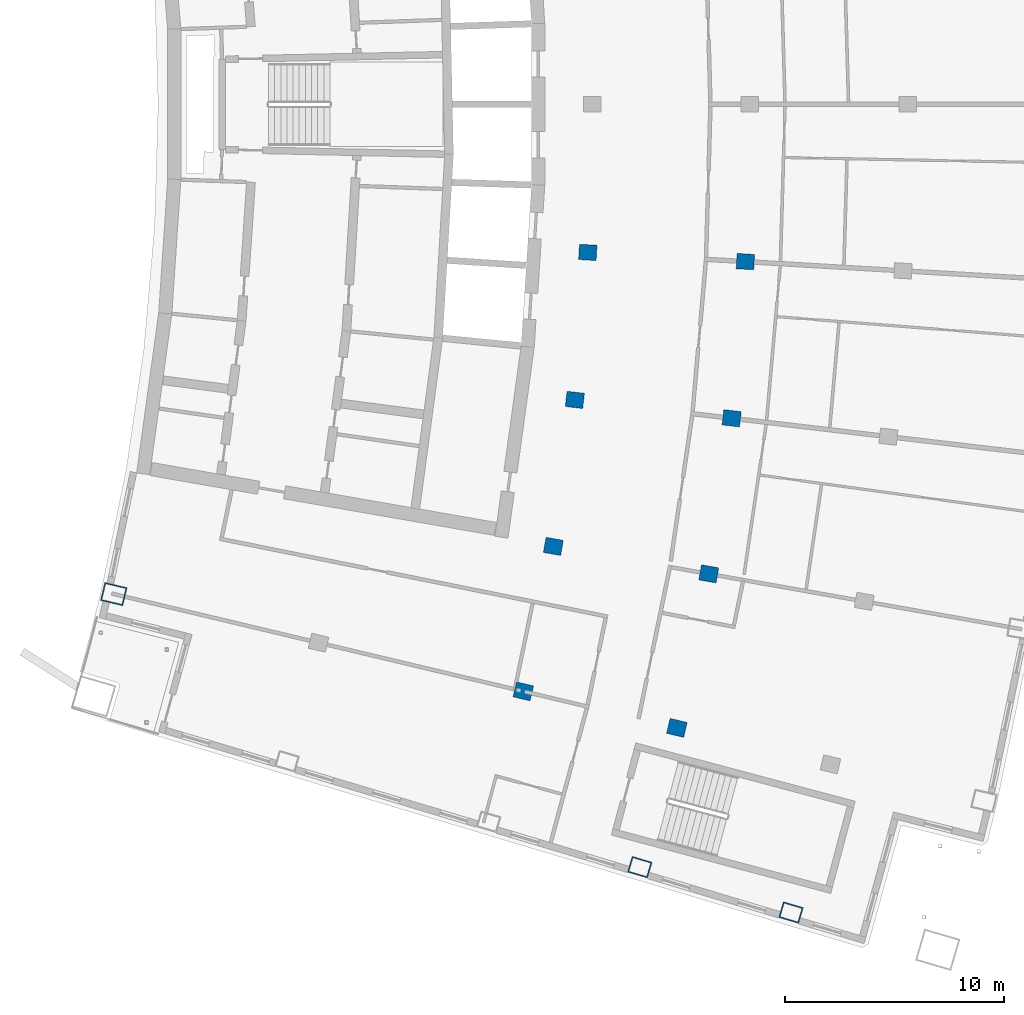
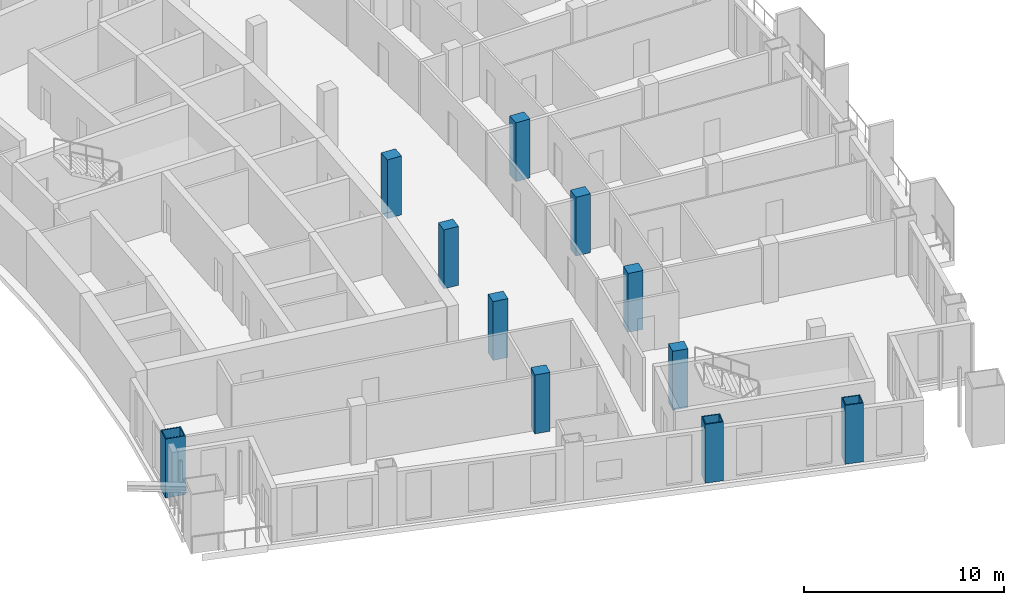
# One storey, part 2 of 18: 11 columns.
"""IFC4 building model written with IfcOpenShell, lengths in metres."""

from ifc_helpers import new_model, si_unit, direction, frame, origin, origin_2d, place, context, subcontext, project, spatial, rectangle, hollow_rectangle, extrude, material, material_profile, profile_set, type_object, element, save


model = new_model("IFC4")

# Units and contexts
model_context = context("Model", 3, precision=1e-05, world=origin(), true_north=direction((0.0, 1.0)))
body_context = subcontext(model_context, "Body", "Model", "MODEL_VIEW")
ifc_project = project(units=[si_unit("LENGTHUNIT", "METRE"), si_unit("AREAUNIT", "SQUARE_METRE"), si_unit("VOLUMEUNIT", "CUBIC_METRE"), si_unit("PLANEANGLEUNIT", "RADIAN"), si_unit("MASSUNIT", "GRAM", prefix="KILO")], contexts=[model_context])

# Site, building, storey
site_placement = place(None, origin())
site = spatial("IfcSite", under=ifc_project, at=site_placement, CompositionType="ELEMENT")
building_placement = place(site_placement, origin())
building = spatial("IfcBuilding", under=site, at=building_placement, Name="Alderwake Tower", CompositionType="ELEMENT")
storey_placement = place(building_placement, frame((0.0, 0.0, 225.199951171875)))
storey = spatial("IfcBuildingStorey", under=building, at=storey_placement, Name="L56", CompositionType="ELEMENT", Elevation=225.199951171875)

# Columns
ifc_material_1 = material(Name="Steel ASTM A572 Grade 50 concrete filled C70/85", Category="concrete")
ifc_material_profile_1 = material_profile(ifc_material_1, hollow_rectangle(XDim=0.75, YDim=0.949951171875, WallThickness=0.054931640625, at=origin_2d()), Name="BOX 950X750X55")
ifc_profile_set_1 = profile_set([ifc_material_profile_1], Name="Steel ASTM A572 Grade 50 concrete filled C70/85")
column_type_1 = type_object("IfcColumnType", Name="End column Z4", PredefinedType="COLUMN", material=ifc_profile_set_1)
for number, where, z_axis, x_axis, name in (
    (1, (37.976318359375, 26.20654296875, 0.0), (0.0, 0.0, 1.0), (0.282873846689, 0.959157123134, 0.0), "Column R02-C3"),
    (2, (44.872314453125, 24.13623046875, 0.0), (0.0, 0.0, 1.0), (0.283131639396, 0.959081057457, 0.0), "Column R02-C4"),
):
    element("IfcColumn", number, at=place(storey_placement, frame(where, z_axis=z_axis, x_axis=x_axis)), inside=storey, type_object=column_type_1, Name=name, PredefinedType="COLUMN", context=body_context, shape_type="SweptSolid", body=[
        extrude(hollow_rectangle(XDim=0.75, YDim=0.949951171875, WallThickness=0.054931640625, at=origin_2d()), origin(), (0.0, 0.0, 1.0), 3.60009765625),
    ])
ifc_material_2 = material(Name="Concrete C70/85", Category="concrete")
ifc_material_profile_2 = material_profile(ifc_material_2, rectangle(XDim=0.699951171875, YDim=0.800048828125, at=origin_2d()), Name="RC 800X700")
ifc_profile_set_2 = profile_set([ifc_material_profile_2], Name="Concrete C70/85")
column_type_2 = type_object("IfcColumnType", Name="Interior column Z4", PredefinedType="COLUMN", material=ifc_profile_set_2)
for number, where, z_axis, x_axis, name in (
    (3, (32.661865234375, 34.224609375, 0.0), (0.0, 0.0, 1.0), (0.231221547198, 0.972901123502, 0.0), "Column R03-C2"),
    (4, (39.666748046875, 32.559814453125, 0.0), (0.0, 0.0, 1.0), (0.231221547198, 0.972901123502, 0.0), "Column R03-C3"),
    (5, (34.03125, 40.83837890625, 0.0), (0.0, 0.0, 1.0), (0.174108800747, 0.984726421654, 0.0), "Column R04-C2"),
    (6, (41.121337890625, 39.584716796875, 0.0), (0.0, 0.0, 1.0), (0.174108800747, 0.984726421654, 0.0), "Column R04-C3"),
    (7, (35.0126953125, 47.5205078125, 0.0), (0.0, 0.0, 1.0), (0.116402054316, 0.993202175668, 0.0), "Column R05-C2"),
    (8, (42.163818359375, 46.6826171875, 0.0), (0.0, 0.0, 1.0), (0.116402054316, 0.993202175668, 0.0), "Column R05-C3"),
    (9, (35.60302734375, 54.248779296875, 0.0), (0.0, 0.0, 1.0), (0.058301061284, 0.998299046505, 0.0), "Column R06-C2"),
    (10, (42.790771484375, 53.8291015625, 0.0), (0.0, 0.0, 1.0), (0.058299318924, 0.998299148258, 0.0), "Column R06-C3"),
):
    element("IfcColumn", number, at=place(storey_placement, frame(where, z_axis=z_axis, x_axis=x_axis)), inside=storey, type_object=column_type_2, Name=name, PredefinedType="COLUMN", context=body_context, shape_type="SweptSolid", body=[
        extrude(rectangle(XDim=0.699951171875, YDim=0.800048828125, at=origin_2d()), origin(), (0.0, 0.0, 1.0), 3.60009765625),
    ])
ifc_material_3 = material(Name="Steel ASTM A572 Grade 50 concrete filled C70/85", Category="concrete")
ifc_material_profile_3 = material_profile(ifc_material_3, hollow_rectangle(XDim=0.85009765625, YDim=1.050048828125, WallThickness=0.054931640625, at=origin_2d()), Name="BOX 1050X850X55")
ifc_profile_set_3 = profile_set([ifc_material_profile_3], Name="Steel ASTM A572 Grade 50 concrete filled C70/85")
column_type_3 = type_object("IfcColumnType", Name="Perimeter column Z4", PredefinedType="COLUMN", material=ifc_profile_set_3)
column_placement = place(storey_placement, frame((13.982177734375, 38.6640625, 0.0), z_axis=(0.0, 0.0, 1.0), x_axis=(0.231221547198, 0.972901123502, 0.0)))
element("IfcColumn", 11, at=column_placement, inside=storey, type_object=column_type_3, Name="Column R03-C0", PredefinedType="COLUMN", context=body_context, shape_type="SweptSolid", body=[
    extrude(hollow_rectangle(XDim=0.85009765625, YDim=1.050048828125, WallThickness=0.054931640625, at=origin_2d()), origin(), (0.0, 0.0, 1.0), 3.60009765625),
])

save(model, "model.ifc")
